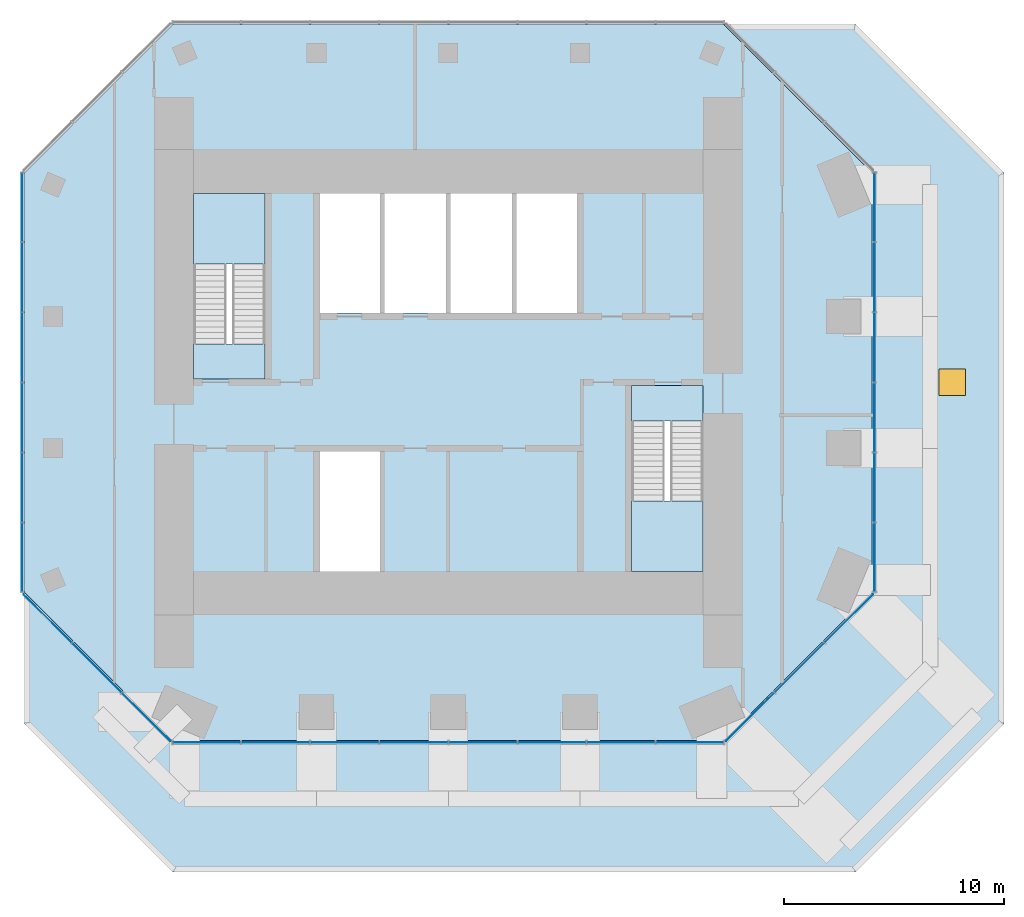
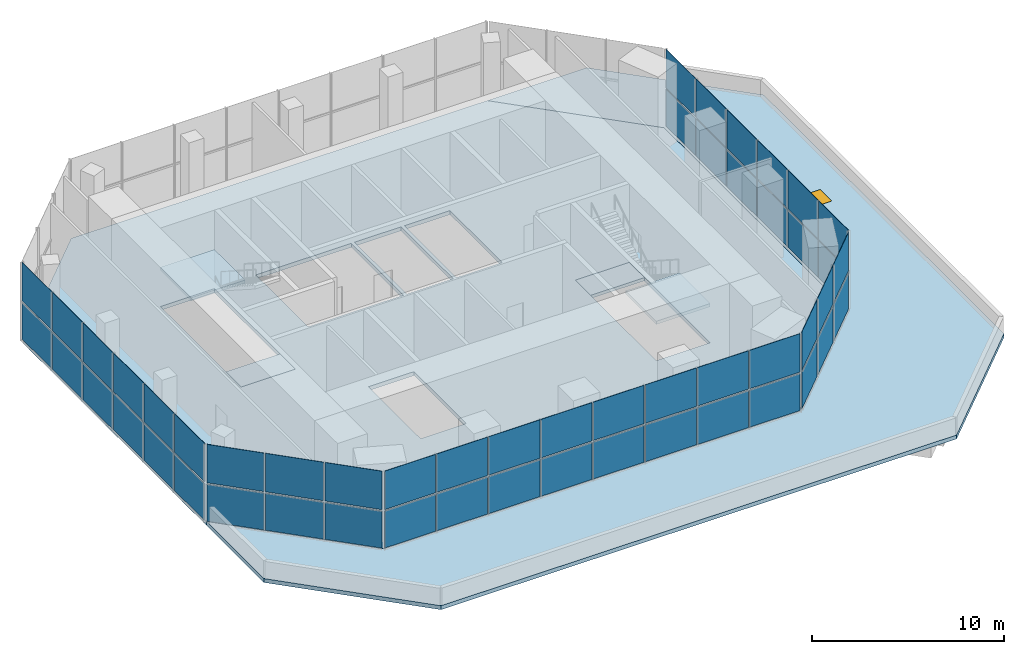
# One storey, part 6 of 9: 52 plates, 6 slabs, 1 window, 1 opening, 7 elements without a shape of their own.
"""IFC4 building model written with IfcOpenShell, lengths in metres."""

from ifc_helpers import new_model, si_unit, direction, frame, origin, origin_2d, place, context, subcontext, project, spatial, polyline, rectangle, outline, extrude, material, layer, layer_set, type_object, element, fill, aggregate, save


model = new_model("IFC4")

# Units and contexts
model_context = context("Model", 3, precision=1e-05, world=origin(), true_north=direction((0.0, 1.0)))
body_context = subcontext(model_context, "Body", "Model", "MODEL_VIEW")
ifc_project = project(units=[si_unit("LENGTHUNIT", "METRE"), si_unit("AREAUNIT", "SQUARE_METRE"), si_unit("VOLUMEUNIT", "CUBIC_METRE"), si_unit("PLANEANGLEUNIT", "RADIAN"), si_unit("MASSUNIT", "GRAM", prefix="KILO")], contexts=[model_context])

# Site, building, storey
site_placement = place(None, origin())
site = spatial("IfcSite", under=ifc_project, at=site_placement, CompositionType="ELEMENT")
building_placement = place(site_placement, origin())
building = spatial("IfcBuilding", under=site, at=building_placement, Name="Highveld Stack Headquarters", CompositionType="ELEMENT")
storey_placement = place(building_placement, frame((0.0, 0.0, 295.699951171875)))
storey = spatial("IfcBuildingStorey", under=building, at=storey_placement, Name="L73", CompositionType="ELEMENT", Elevation=295.699951171875)

# Curtain wall, plates
ifc_material_1 = material(Name="Aluminium bronze anodised", Category="aluminium")
ifc_layer_1 = layer(ifc_material_1, 0.199951171875)
ifc_layer_set_1 = layer_set([ifc_layer_1], Name="Aluminium bronze anodised")
curtain_wall_type = type_object("IfcCurtainWallType", Name="CW4 LANTERN CURTAIN WALL", PredefinedType="NOTDEFINED", material=ifc_layer_set_1)
curtain_wall_1_placement = place(storey_placement, origin())
curtain_wall_1 = element("IfcCurtainWall", 1, at=curtain_wall_1_placement, inside=storey, type_object=curtain_wall_type, Name="Curtain wall CW4 L73 S", PredefinedType="NOTDEFINED")
ifc_material_2 = material(Name="Glass translucent laminated glass", Category="glass")
ifc_layer_2 = layer(ifc_material_2, 0.02197265625)
ifc_layer_set_2 = layer_set([ifc_layer_2], Name="Glass translucent laminated glass")
plate_type = type_object("IfcPlateType", Name="CW4 PANEL TRANSLUCENT LAMINATED GLASS", PredefinedType="CURTAIN_PANEL", material=ifc_layer_set_2)
plate_1_placement = place(storey_placement, frame((-4.9912109375, -13.39990234375, 0.10009765625), z_axis=(0.0, 0.0, 1.0), x_axis=(1.0, 0.0, 0.0)))
plate_1 = element("IfcPlate", 2, at=plate_1_placement, type_object=plate_type, Name="CW4 panel L73 1.1", PredefinedType="CURTAIN_PANEL", context=body_context, shape_type="SweptSolid", body=[
    extrude(rectangle(XDim=3.047607421875, YDim=0.02197265625, at=origin_2d()), origin(), (0.0, 0.0, 1.0), 2.35009765625),
])
plate_2_placement = place(storey_placement, frame((-4.9912109375, -13.39990234375, 2.55029296875), z_axis=(0.0, 0.0, 1.0), x_axis=(1.0, 0.0, 0.0)))
plate_2 = element("IfcPlate", 3, at=plate_2_placement, type_object=plate_type, Name="CW4 panel L73 1.2", PredefinedType="CURTAIN_PANEL", context=body_context, shape_type="SweptSolid", body=[
    extrude(rectangle(XDim=3.047607421875, YDim=0.02197265625, at=origin_2d()), origin(), (0.0, 0.0, 1.0), 2.449951171875),
])
plate_3_placement = place(storey_placement, frame((-1.8623046875, -13.39990234375, 0.10009765625), z_axis=(0.0, 0.0, 1.0), x_axis=(1.0, 0.0, 0.0)))
plate_3 = element("IfcPlate", 4, at=plate_3_placement, type_object=plate_type, Name="CW4 panel L73 2.1", PredefinedType="CURTAIN_PANEL", context=body_context, shape_type="SweptSolid", body=[
    extrude(rectangle(XDim=3.080078125, YDim=0.02197265625, at=origin_2d()), origin(), (0.0, 0.0, 1.0), 2.35009765625),
])
plate_4_placement = place(storey_placement, frame((-1.8623046875, -13.39990234375, 2.55029296875), z_axis=(0.0, 0.0, 1.0), x_axis=(1.0, 0.0, 0.0)))
plate_4 = element("IfcPlate", 5, at=plate_4_placement, type_object=plate_type, Name="CW4 panel L73 2.2", PredefinedType="CURTAIN_PANEL", context=body_context, shape_type="SweptSolid", body=[
    extrude(rectangle(XDim=3.080078125, YDim=0.02197265625, at=origin_2d()), origin(), (0.0, 0.0, 1.0), 2.449951171875),
])
plate_5_placement = place(storey_placement, frame((1.282470703125, -13.39990234375, 0.10009765625), z_axis=(0.0, 0.0, 1.0), x_axis=(1.0, 0.0, 0.0)))
plate_5 = element("IfcPlate", 6, at=plate_5_placement, type_object=plate_type, Name="CW4 panel L73 3.1", PredefinedType="CURTAIN_PANEL", context=body_context, shape_type="SweptSolid", body=[
    extrude(rectangle(XDim=3.080078125, YDim=0.02197265625, at=origin_2d()), origin(), (0.0, 0.0, 1.0), 2.35009765625),
])
plate_6_placement = place(storey_placement, frame((1.282470703125, -13.39990234375, 2.55029296875), z_axis=(0.0, 0.0, 1.0), x_axis=(1.0, 0.0, 0.0)))
plate_6 = element("IfcPlate", 7, at=plate_6_placement, type_object=plate_type, Name="CW4 panel L73 3.2", PredefinedType="CURTAIN_PANEL", context=body_context, shape_type="SweptSolid", body=[
    extrude(rectangle(XDim=3.080078125, YDim=0.02197265625, at=origin_2d()), origin(), (0.0, 0.0, 1.0), 2.449951171875),
])
plate_7_placement = place(storey_placement, frame((4.427490234375, -13.39990234375, 0.10009765625), z_axis=(0.0, 0.0, 1.0), x_axis=(1.0, 0.0, 0.0)))
plate_7 = element("IfcPlate", 8, at=plate_7_placement, type_object=plate_type, Name="CW4 panel L73 4.1", PredefinedType="CURTAIN_PANEL", context=body_context, shape_type="SweptSolid", body=[
    extrude(rectangle(XDim=3.080078125, YDim=0.02197265625, at=origin_2d()), origin(), (0.0, 0.0, 1.0), 2.35009765625),
])
plate_8_placement = place(storey_placement, frame((4.427490234375, -13.39990234375, 2.55029296875), z_axis=(0.0, 0.0, 1.0), x_axis=(1.0, 0.0, 0.0)))
plate_8 = element("IfcPlate", 9, at=plate_8_placement, type_object=plate_type, Name="CW4 panel L73 4.2", PredefinedType="CURTAIN_PANEL", context=body_context, shape_type="SweptSolid", body=[
    extrude(rectangle(XDim=3.080078125, YDim=0.02197265625, at=origin_2d()), origin(), (0.0, 0.0, 1.0), 2.449951171875),
])
plate_9_placement = place(storey_placement, frame((7.572509765625, -13.39990234375, 0.10009765625), z_axis=(0.0, 0.0, 1.0), x_axis=(1.0, 0.0, 0.0)))
plate_9 = element("IfcPlate", 10, at=plate_9_placement, type_object=plate_type, Name="CW4 panel L73 5.1", PredefinedType="CURTAIN_PANEL", context=body_context, shape_type="SweptSolid", body=[
    extrude(rectangle(XDim=3.080078125, YDim=0.02197265625, at=origin_2d()), origin(), (0.0, 0.0, 1.0), 2.35009765625),
])
plate_10_placement = place(storey_placement, frame((7.572509765625, -13.39990234375, 2.55029296875), z_axis=(0.0, 0.0, 1.0), x_axis=(1.0, 0.0, 0.0)))
plate_10 = element("IfcPlate", 11, at=plate_10_placement, type_object=plate_type, Name="CW4 panel L73 5.2", PredefinedType="CURTAIN_PANEL", context=body_context, shape_type="SweptSolid", body=[
    extrude(rectangle(XDim=3.080078125, YDim=0.02197265625, at=origin_2d()), origin(), (0.0, 0.0, 1.0), 2.449951171875),
])
plate_11_placement = place(storey_placement, frame((10.717529296875, -13.39990234375, 0.10009765625), z_axis=(0.0, 0.0, 1.0), x_axis=(1.0, 0.0, 0.0)))
plate_11 = element("IfcPlate", 12, at=plate_11_placement, type_object=plate_type, Name="CW4 panel L73 6.1", PredefinedType="CURTAIN_PANEL", context=body_context, shape_type="SweptSolid", body=[
    extrude(rectangle(XDim=3.080078125, YDim=0.02197265625, at=origin_2d()), origin(), (0.0, 0.0, 1.0), 2.35009765625),
])
plate_12_placement = place(storey_placement, frame((10.717529296875, -13.39990234375, 2.55029296875), z_axis=(0.0, 0.0, 1.0), x_axis=(1.0, 0.0, 0.0)))
plate_12 = element("IfcPlate", 13, at=plate_12_placement, type_object=plate_type, Name="CW4 panel L73 6.2", PredefinedType="CURTAIN_PANEL", context=body_context, shape_type="SweptSolid", body=[
    extrude(rectangle(XDim=3.080078125, YDim=0.02197265625, at=origin_2d()), origin(), (0.0, 0.0, 1.0), 2.449951171875),
])
plate_13_placement = place(storey_placement, frame((13.8623046875, -13.39990234375, 0.10009765625), z_axis=(0.0, 0.0, 1.0), x_axis=(1.0, 0.0, 0.0)))
plate_13 = element("IfcPlate", 14, at=plate_13_placement, type_object=plate_type, Name="CW4 panel L73 7.1", PredefinedType="CURTAIN_PANEL", context=body_context, shape_type="SweptSolid", body=[
    extrude(rectangle(XDim=3.080078125, YDim=0.02197265625, at=origin_2d()), origin(), (0.0, 0.0, 1.0), 2.35009765625),
])
plate_14_placement = place(storey_placement, frame((13.8623046875, -13.39990234375, 2.55029296875), z_axis=(0.0, 0.0, 1.0), x_axis=(1.0, 0.0, 0.0)))
plate_14 = element("IfcPlate", 15, at=plate_14_placement, type_object=plate_type, Name="CW4 panel L73 7.2", PredefinedType="CURTAIN_PANEL", context=body_context, shape_type="SweptSolid", body=[
    extrude(rectangle(XDim=3.080078125, YDim=0.02197265625, at=origin_2d()), origin(), (0.0, 0.0, 1.0), 2.449951171875),
])
plate_15_placement = place(storey_placement, frame((16.9912109375, -13.39990234375, 0.10009765625), z_axis=(0.0, 0.0, 1.0), x_axis=(1.0, 0.0, 0.0)))
plate_15 = element("IfcPlate", 16, at=plate_15_placement, type_object=plate_type, Name="CW4 panel L73 8.1", PredefinedType="CURTAIN_PANEL", context=body_context, shape_type="SweptSolid", body=[
    extrude(rectangle(XDim=3.047607421875, YDim=0.02197265625, at=origin_2d()), origin(), (0.0, 0.0, 1.0), 2.35009765625),
])
plate_16_placement = place(storey_placement, frame((16.9912109375, -13.39990234375, 2.55029296875), z_axis=(0.0, 0.0, 1.0), x_axis=(1.0, 0.0, 0.0)))
plate_16 = element("IfcPlate", 17, at=plate_16_placement, type_object=plate_type, Name="CW4 panel L73 8.2", PredefinedType="CURTAIN_PANEL", context=body_context, shape_type="SweptSolid", body=[
    extrude(rectangle(XDim=3.047607421875, YDim=0.02197265625, at=origin_2d()), origin(), (0.0, 0.0, 1.0), 2.449951171875),
])
aggregate(curtain_wall_1, [plate_1, plate_2, plate_3, plate_4, plate_5, plate_6, plate_7, plate_8, plate_9, plate_10, plate_11, plate_12, plate_13, plate_14, plate_15, plate_16])

curtain_wall_2_placement = place(storey_placement, origin())
curtain_wall_2 = element("IfcCurtainWall", 18, at=curtain_wall_2_placement, inside=storey, type_object=curtain_wall_type, Name="Curtain wall CW4 L73 SE", PredefinedType="NOTDEFINED")
plate_17_placement = place(storey_placement, frame((19.740478515625, -12.239501953125, 0.10009765625), z_axis=(0.0, 0.0, 1.0), x_axis=(0.707106781187, 0.707106781187, 0.0)))
plate_17 = element("IfcPlate", 19, at=plate_17_placement, type_object=plate_type, Name="CW4 panel L73 1.1", PredefinedType="CURTAIN_PANEL", context=body_context, shape_type="SweptSolid", body=[
    extrude(rectangle(XDim=3.08251953125, YDim=0.02197265625, at=origin_2d()), origin(), (0.0, 0.0, 1.0), 2.35009765625),
])
plate_18_placement = place(storey_placement, frame((19.740478515625, -12.239501953125, 2.55029296875), z_axis=(0.0, 0.0, 1.0), x_axis=(0.707106781187, 0.707106781187, 0.0)))
plate_18 = element("IfcPlate", 20, at=plate_18_placement, type_object=plate_type, Name="CW4 panel L73 1.2", PredefinedType="CURTAIN_PANEL", context=body_context, shape_type="SweptSolid", body=[
    extrude(rectangle(XDim=3.08251953125, YDim=0.02197265625, at=origin_2d()), origin(), (0.0, 0.0, 1.0), 2.449951171875),
])
plate_19_placement = place(storey_placement, frame((21.989990234375, -9.989990234375, 0.10009765625), z_axis=(0.0, 0.0, 1.0), x_axis=(0.707106781187, 0.707106781187, 0.0)))
plate_19 = element("IfcPlate", 21, at=plate_19_placement, type_object=plate_type, Name="CW4 panel L73 2.1", PredefinedType="CURTAIN_PANEL", context=body_context, shape_type="SweptSolid", body=[
    extrude(rectangle(XDim=3.14990234375, YDim=0.02197265625, at=origin_2d()), origin(), (0.0, 0.0, 1.0), 2.35009765625),
])
plate_20_placement = place(storey_placement, frame((21.989990234375, -9.989990234375, 2.55029296875), z_axis=(0.0, 0.0, 1.0), x_axis=(0.707106781187, 0.707106781187, 0.0)))
plate_20 = element("IfcPlate", 22, at=plate_20_placement, type_object=plate_type, Name="CW4 panel L73 2.2", PredefinedType="CURTAIN_PANEL", context=body_context, shape_type="SweptSolid", body=[
    extrude(rectangle(XDim=3.14990234375, YDim=0.02197265625, at=origin_2d()), origin(), (0.0, 0.0, 1.0), 2.449951171875),
])
plate_21_placement = place(storey_placement, frame((24.239501953125, -7.740478515625, 0.10009765625), z_axis=(0.0, 0.0, 1.0), x_axis=(0.707106781187, 0.707106781187, 0.0)))
plate_21 = element("IfcPlate", 23, at=plate_21_placement, type_object=plate_type, Name="CW4 panel L73 3.1", PredefinedType="CURTAIN_PANEL", context=body_context, shape_type="SweptSolid", body=[
    extrude(rectangle(XDim=3.08251953125, YDim=0.02197265625, at=origin_2d()), origin(), (0.0, 0.0, 1.0), 2.35009765625),
])
plate_22_placement = place(storey_placement, frame((24.239501953125, -7.740478515625, 2.55029296875), z_axis=(0.0, 0.0, 1.0), x_axis=(0.707106781187, 0.707106781187, 0.0)))
plate_22 = element("IfcPlate", 24, at=plate_22_placement, type_object=plate_type, Name="CW4 panel L73 3.2", PredefinedType="CURTAIN_PANEL", context=body_context, shape_type="SweptSolid", body=[
    extrude(rectangle(XDim=3.08251953125, YDim=0.02197265625, at=origin_2d()), origin(), (0.0, 0.0, 1.0), 2.449951171875),
])
aggregate(curtain_wall_2, [plate_17, plate_18, plate_19, plate_20, plate_21, plate_22])

curtain_wall_3_placement = place(storey_placement, origin())
curtain_wall_3 = element("IfcCurtainWall", 25, at=curtain_wall_3_placement, inside=storey, type_object=curtain_wall_type, Name="Curtain wall CW4 L73 E", PredefinedType="NOTDEFINED")
plate_23_placement = place(storey_placement, frame((25.39990234375, -4.967041015625, 0.10009765625), z_axis=(0.0, 0.0, 1.0), x_axis=(0.0, 1.0, 0.0)))
plate_23 = element("IfcPlate", 26, at=plate_23_placement, type_object=plate_type, Name="CW4 panel L73 1.1", PredefinedType="CURTAIN_PANEL", context=body_context, shape_type="SweptSolid", body=[
    extrude(rectangle(XDim=3.095703125, YDim=0.02197265625, at=origin_2d()), origin(), (0.0, 0.0, 1.0), 2.35009765625),
])
plate_24_placement = place(storey_placement, frame((25.39990234375, -4.967041015625, 2.55029296875), z_axis=(0.0, 0.0, 1.0), x_axis=(0.0, 1.0, 0.0)))
plate_24 = element("IfcPlate", 27, at=plate_24_placement, type_object=plate_type, Name="CW4 panel L73 1.2", PredefinedType="CURTAIN_PANEL", context=body_context, shape_type="SweptSolid", body=[
    extrude(rectangle(XDim=3.095703125, YDim=0.02197265625, at=origin_2d()), origin(), (0.0, 0.0, 1.0), 2.449951171875),
])
plate_25_placement = place(storey_placement, frame((25.39990234375, -1.789794921875, 0.10009765625), z_axis=(0.0, 0.0, 1.0), x_axis=(0.0, 1.0, 0.0)))
plate_25 = element("IfcPlate", 28, at=plate_25_placement, type_object=plate_type, Name="CW4 panel L73 2.1", PredefinedType="CURTAIN_PANEL", context=body_context, shape_type="SweptSolid", body=[
    extrude(rectangle(XDim=3.12841796875, YDim=0.02197265625, at=origin_2d()), origin(), (0.0, 0.0, 1.0), 2.35009765625),
])
plate_26_placement = place(storey_placement, frame((25.39990234375, -1.789794921875, 2.55029296875), z_axis=(0.0, 0.0, 1.0), x_axis=(0.0, 1.0, 0.0)))
plate_26 = element("IfcPlate", 29, at=plate_26_placement, type_object=plate_type, Name="CW4 panel L73 2.2", PredefinedType="CURTAIN_PANEL", context=body_context, shape_type="SweptSolid", body=[
    extrude(rectangle(XDim=3.12841796875, YDim=0.02197265625, at=origin_2d()), origin(), (0.0, 0.0, 1.0), 2.449951171875),
])
plate_27_placement = place(storey_placement, frame((25.39990234375, 1.4033203125, 0.10009765625), z_axis=(0.0, 0.0, 1.0), x_axis=(0.0, 1.0, 0.0)))
plate_27 = element("IfcPlate", 30, at=plate_27_placement, type_object=plate_type, Name="CW4 panel L73 3.1", PredefinedType="CURTAIN_PANEL", context=body_context, shape_type="SweptSolid", body=[
    extrude(rectangle(XDim=3.12841796875, YDim=0.02197265625, at=origin_2d()), origin(), (0.0, 0.0, 1.0), 2.35009765625),
])
plate_28_placement = place(storey_placement, frame((25.39990234375, 1.4033203125, 2.55029296875), z_axis=(0.0, 0.0, 1.0), x_axis=(0.0, 1.0, 0.0)))
plate_28 = element("IfcPlate", 31, at=plate_28_placement, type_object=plate_type, Name="CW4 panel L73 3.2", PredefinedType="CURTAIN_PANEL", context=body_context, shape_type="SweptSolid", body=[
    extrude(rectangle(XDim=3.12841796875, YDim=0.02197265625, at=origin_2d()), origin(), (0.0, 0.0, 1.0), 2.449951171875),
])
plate_29_placement = place(storey_placement, frame((25.39990234375, 4.5966796875, 0.10009765625), z_axis=(0.0, 0.0, 1.0), x_axis=(0.0, 1.0, 0.0)))
plate_29 = element("IfcPlate", 32, at=plate_29_placement, type_object=plate_type, Name="CW4 panel L73 4.1", PredefinedType="CURTAIN_PANEL", context=body_context, shape_type="SweptSolid", body=[
    extrude(rectangle(XDim=3.12841796875, YDim=0.02197265625, at=origin_2d()), origin(), (0.0, 0.0, 1.0), 2.35009765625),
])
plate_30_placement = place(storey_placement, frame((25.39990234375, 4.5966796875, 2.55029296875), z_axis=(0.0, 0.0, 1.0), x_axis=(0.0, 1.0, 0.0)))
plate_30 = element("IfcPlate", 33, at=plate_30_placement, type_object=plate_type, Name="CW4 panel L73 4.2", PredefinedType="CURTAIN_PANEL", context=body_context, shape_type="SweptSolid", body=[
    extrude(rectangle(XDim=3.12841796875, YDim=0.02197265625, at=origin_2d()), origin(), (0.0, 0.0, 1.0), 2.449951171875),
])
plate_31_placement = place(storey_placement, frame((25.39990234375, 7.7900390625, 0.10009765625), z_axis=(0.0, 0.0, 1.0), x_axis=(0.0, 1.0, 0.0)))
plate_31 = element("IfcPlate", 34, at=plate_31_placement, type_object=plate_type, Name="CW4 panel L73 5.1", PredefinedType="CURTAIN_PANEL", context=body_context, shape_type="SweptSolid", body=[
    extrude(rectangle(XDim=3.12841796875, YDim=0.02197265625, at=origin_2d()), origin(), (0.0, 0.0, 1.0), 2.35009765625),
])
plate_32_placement = place(storey_placement, frame((25.39990234375, 7.7900390625, 2.55029296875), z_axis=(0.0, 0.0, 1.0), x_axis=(0.0, 1.0, 0.0)))
plate_32 = element("IfcPlate", 35, at=plate_32_placement, type_object=plate_type, Name="CW4 panel L73 5.2", PredefinedType="CURTAIN_PANEL", context=body_context, shape_type="SweptSolid", body=[
    extrude(rectangle(XDim=3.12841796875, YDim=0.02197265625, at=origin_2d()), origin(), (0.0, 0.0, 1.0), 2.449951171875),
])
plate_33_placement = place(storey_placement, frame((25.39990234375, 10.967041015625, 0.10009765625), z_axis=(0.0, 0.0, 1.0), x_axis=(0.0, 1.0, 0.0)))
plate_33 = element("IfcPlate", 36, at=plate_33_placement, type_object=plate_type, Name="CW4 panel L73 6.1", PredefinedType="CURTAIN_PANEL", context=body_context, shape_type="SweptSolid", body=[
    extrude(rectangle(XDim=3.095703125, YDim=0.02197265625, at=origin_2d()), origin(), (0.0, 0.0, 1.0), 2.35009765625),
])
plate_34_placement = place(storey_placement, frame((25.39990234375, 10.967041015625, 2.55029296875), z_axis=(0.0, 0.0, 1.0), x_axis=(0.0, 1.0, 0.0)))
plate_34 = element("IfcPlate", 37, at=plate_34_placement, type_object=plate_type, Name="CW4 panel L73 6.2", PredefinedType="CURTAIN_PANEL", context=body_context, shape_type="SweptSolid", body=[
    extrude(rectangle(XDim=3.095703125, YDim=0.02197265625, at=origin_2d()), origin(), (0.0, 0.0, 1.0), 2.449951171875),
])
aggregate(curtain_wall_3, [plate_23, plate_24, plate_25, plate_26, plate_27, plate_28, plate_29, plate_30, plate_31, plate_32, plate_33, plate_34])

curtain_wall_4_placement = place(storey_placement, origin())
curtain_wall_4 = element("IfcCurtainWall", 38, at=curtain_wall_4_placement, inside=storey, type_object=curtain_wall_type, Name="Curtain wall CW4 L73 W", PredefinedType="NOTDEFINED")
plate_35_placement = place(storey_placement, frame((-13.39990234375, 10.967041015625, 0.10009765625), z_axis=(0.0, 0.0, 1.0), x_axis=(0.0, -1.0, 0.0)))
plate_35 = element("IfcPlate", 39, at=plate_35_placement, type_object=plate_type, Name="CW4 panel L73 1.1", PredefinedType="CURTAIN_PANEL", context=body_context, shape_type="SweptSolid", body=[
    extrude(rectangle(XDim=3.095703125, YDim=0.02197265625, at=origin_2d()), origin(), (0.0, 0.0, 1.0), 2.35009765625),
])
plate_36_placement = place(storey_placement, frame((-13.39990234375, 10.967041015625, 2.55029296875), z_axis=(0.0, 0.0, 1.0), x_axis=(0.0, -1.0, 0.0)))
plate_36 = element("IfcPlate", 40, at=plate_36_placement, type_object=plate_type, Name="CW4 panel L73 1.2", PredefinedType="CURTAIN_PANEL", context=body_context, shape_type="SweptSolid", body=[
    extrude(rectangle(XDim=3.095703125, YDim=0.02197265625, at=origin_2d()), origin(), (0.0, 0.0, 1.0), 2.449951171875),
])
plate_37_placement = place(storey_placement, frame((-13.39990234375, 7.789794921875, 0.10009765625), z_axis=(0.0, 0.0, 1.0), x_axis=(0.0, -1.0, 0.0)))
plate_37 = element("IfcPlate", 41, at=plate_37_placement, type_object=plate_type, Name="CW4 panel L73 2.1", PredefinedType="CURTAIN_PANEL", context=body_context, shape_type="SweptSolid", body=[
    extrude(rectangle(XDim=3.12841796875, YDim=0.02197265625, at=origin_2d()), origin(), (0.0, 0.0, 1.0), 2.35009765625),
])
plate_38_placement = place(storey_placement, frame((-13.39990234375, 7.789794921875, 2.55029296875), z_axis=(0.0, 0.0, 1.0), x_axis=(0.0, -1.0, 0.0)))
plate_38 = element("IfcPlate", 42, at=plate_38_placement, type_object=plate_type, Name="CW4 panel L73 2.2", PredefinedType="CURTAIN_PANEL", context=body_context, shape_type="SweptSolid", body=[
    extrude(rectangle(XDim=3.12841796875, YDim=0.02197265625, at=origin_2d()), origin(), (0.0, 0.0, 1.0), 2.449951171875),
])
plate_39_placement = place(storey_placement, frame((-13.39990234375, 4.5966796875, 0.10009765625), z_axis=(0.0, 0.0, 1.0), x_axis=(0.0, -1.0, 0.0)))
plate_39 = element("IfcPlate", 43, at=plate_39_placement, type_object=plate_type, Name="CW4 panel L73 3.1", PredefinedType="CURTAIN_PANEL", context=body_context, shape_type="SweptSolid", body=[
    extrude(rectangle(XDim=3.12841796875, YDim=0.02197265625, at=origin_2d()), origin(), (0.0, 0.0, 1.0), 2.35009765625),
])
plate_40_placement = place(storey_placement, frame((-13.39990234375, 4.5966796875, 2.55029296875), z_axis=(0.0, 0.0, 1.0), x_axis=(0.0, -1.0, 0.0)))
plate_40 = element("IfcPlate", 44, at=plate_40_placement, type_object=plate_type, Name="CW4 panel L73 3.2", PredefinedType="CURTAIN_PANEL", context=body_context, shape_type="SweptSolid", body=[
    extrude(rectangle(XDim=3.12841796875, YDim=0.02197265625, at=origin_2d()), origin(), (0.0, 0.0, 1.0), 2.449951171875),
])
plate_41_placement = place(storey_placement, frame((-13.39990234375, 1.4033203125, 0.10009765625), z_axis=(0.0, 0.0, 1.0), x_axis=(0.0, -1.0, 0.0)))
plate_41 = element("IfcPlate", 45, at=plate_41_placement, type_object=plate_type, Name="CW4 panel L73 4.1", PredefinedType="CURTAIN_PANEL", context=body_context, shape_type="SweptSolid", body=[
    extrude(rectangle(XDim=3.12841796875, YDim=0.02197265625, at=origin_2d()), origin(), (0.0, 0.0, 1.0), 2.35009765625),
])
plate_42_placement = place(storey_placement, frame((-13.39990234375, 1.4033203125, 2.55029296875), z_axis=(0.0, 0.0, 1.0), x_axis=(0.0, -1.0, 0.0)))
plate_42 = element("IfcPlate", 46, at=plate_42_placement, type_object=plate_type, Name="CW4 panel L73 4.2", PredefinedType="CURTAIN_PANEL", context=body_context, shape_type="SweptSolid", body=[
    extrude(rectangle(XDim=3.12841796875, YDim=0.02197265625, at=origin_2d()), origin(), (0.0, 0.0, 1.0), 2.449951171875),
])
plate_43_placement = place(storey_placement, frame((-13.39990234375, -1.7900390625, 0.10009765625), z_axis=(0.0, 0.0, 1.0), x_axis=(0.0, -1.0, 0.0)))
plate_43 = element("IfcPlate", 47, at=plate_43_placement, type_object=plate_type, Name="CW4 panel L73 5.1", PredefinedType="CURTAIN_PANEL", context=body_context, shape_type="SweptSolid", body=[
    extrude(rectangle(XDim=3.12841796875, YDim=0.02197265625, at=origin_2d()), origin(), (0.0, 0.0, 1.0), 2.35009765625),
])
plate_44_placement = place(storey_placement, frame((-13.39990234375, -1.7900390625, 2.55029296875), z_axis=(0.0, 0.0, 1.0), x_axis=(0.0, -1.0, 0.0)))
plate_44 = element("IfcPlate", 48, at=plate_44_placement, type_object=plate_type, Name="CW4 panel L73 5.2", PredefinedType="CURTAIN_PANEL", context=body_context, shape_type="SweptSolid", body=[
    extrude(rectangle(XDim=3.12841796875, YDim=0.02197265625, at=origin_2d()), origin(), (0.0, 0.0, 1.0), 2.449951171875),
])
plate_45_placement = place(storey_placement, frame((-13.39990234375, -4.967041015625, 0.10009765625), z_axis=(0.0, 0.0, 1.0), x_axis=(0.0, -1.0, 0.0)))
plate_45 = element("IfcPlate", 49, at=plate_45_placement, type_object=plate_type, Name="CW4 panel L73 6.1", PredefinedType="CURTAIN_PANEL", context=body_context, shape_type="SweptSolid", body=[
    extrude(rectangle(XDim=3.095703125, YDim=0.02197265625, at=origin_2d()), origin(), (0.0, 0.0, 1.0), 2.35009765625),
])
plate_46_placement = place(storey_placement, frame((-13.39990234375, -4.967041015625, 2.55029296875), z_axis=(0.0, 0.0, 1.0), x_axis=(0.0, -1.0, 0.0)))
plate_46 = element("IfcPlate", 50, at=plate_46_placement, type_object=plate_type, Name="CW4 panel L73 6.2", PredefinedType="CURTAIN_PANEL", context=body_context, shape_type="SweptSolid", body=[
    extrude(rectangle(XDim=3.095703125, YDim=0.02197265625, at=origin_2d()), origin(), (0.0, 0.0, 1.0), 2.449951171875),
])
aggregate(curtain_wall_4, [plate_35, plate_36, plate_37, plate_38, plate_39, plate_40, plate_41, plate_42, plate_43, plate_44, plate_45, plate_46])

curtain_wall_5_placement = place(storey_placement, origin())
curtain_wall_5 = element("IfcCurtainWall", 51, at=curtain_wall_5_placement, inside=storey, type_object=curtain_wall_type, Name="Curtain wall CW4 L73 SW", PredefinedType="NOTDEFINED")
plate_47_placement = place(storey_placement, frame((-12.239501953125, -7.740478515625, 0.10009765625), z_axis=(0.0, 0.0, 1.0), x_axis=(0.707106781187, -0.707106781187, 0.0)))
plate_47 = element("IfcPlate", 52, at=plate_47_placement, type_object=plate_type, Name="CW4 panel L73 1.1", PredefinedType="CURTAIN_PANEL", context=body_context, shape_type="SweptSolid", body=[
    extrude(rectangle(XDim=3.08251953125, YDim=0.02197265625, at=origin_2d()), origin(), (0.0, 0.0, 1.0), 2.35009765625),
])
plate_48_placement = place(storey_placement, frame((-12.239501953125, -7.740478515625, 2.55029296875), z_axis=(0.0, 0.0, 1.0), x_axis=(0.707106781187, -0.707106781187, 0.0)))
plate_48 = element("IfcPlate", 53, at=plate_48_placement, type_object=plate_type, Name="CW4 panel L73 1.2", PredefinedType="CURTAIN_PANEL", context=body_context, shape_type="SweptSolid", body=[
    extrude(rectangle(XDim=3.08251953125, YDim=0.02197265625, at=origin_2d()), origin(), (0.0, 0.0, 1.0), 2.449951171875),
])
plate_49_placement = place(storey_placement, frame((-9.989990234375, -9.989990234375, 0.10009765625), z_axis=(0.0, 0.0, 1.0), x_axis=(0.707106781187, -0.707106781187, 0.0)))
plate_49 = element("IfcPlate", 54, at=plate_49_placement, type_object=plate_type, Name="CW4 panel L73 2.1", PredefinedType="CURTAIN_PANEL", context=body_context, shape_type="SweptSolid", body=[
    extrude(rectangle(XDim=3.14990234375, YDim=0.02197265625, at=origin_2d()), origin(), (0.0, 0.0, 1.0), 2.35009765625),
])
plate_50_placement = place(storey_placement, frame((-9.989990234375, -9.989990234375, 2.55029296875), z_axis=(0.0, 0.0, 1.0), x_axis=(0.707106781187, -0.707106781187, 0.0)))
plate_50 = element("IfcPlate", 55, at=plate_50_placement, type_object=plate_type, Name="CW4 panel L73 2.2", PredefinedType="CURTAIN_PANEL", context=body_context, shape_type="SweptSolid", body=[
    extrude(rectangle(XDim=3.14990234375, YDim=0.02197265625, at=origin_2d()), origin(), (0.0, 0.0, 1.0), 2.449951171875),
])
plate_51_placement = place(storey_placement, frame((-7.740478515625, -12.239501953125, 0.10009765625), z_axis=(0.0, 0.0, 1.0), x_axis=(0.707106781187, -0.707106781187, 0.0)))
plate_51 = element("IfcPlate", 56, at=plate_51_placement, type_object=plate_type, Name="CW4 panel L73 3.1", PredefinedType="CURTAIN_PANEL", context=body_context, shape_type="SweptSolid", body=[
    extrude(rectangle(XDim=3.08251953125, YDim=0.02197265625, at=origin_2d()), origin(), (0.0, 0.0, 1.0), 2.35009765625),
])
plate_52_placement = place(storey_placement, frame((-7.740478515625, -12.239501953125, 2.55029296875), z_axis=(0.0, 0.0, 1.0), x_axis=(0.707106781187, -0.707106781187, 0.0)))
plate_52 = element("IfcPlate", 57, at=plate_52_placement, type_object=plate_type, Name="CW4 panel L73 3.2", PredefinedType="CURTAIN_PANEL", context=body_context, shape_type="SweptSolid", body=[
    extrude(rectangle(XDim=3.08251953125, YDim=0.02197265625, at=origin_2d()), origin(), (0.0, 0.0, 1.0), 2.449951171875),
])
aggregate(curtain_wall_5, [plate_47, plate_48, plate_49, plate_50, plate_51, plate_52])

# Slab
ifc_material_3 = material(Name="Concrete C60/75", Category="concrete")
ifc_layer_3 = layer(ifc_material_3, 0.25)
ifc_layer_set_3 = layer_set([ifc_layer_3], Name="Concrete C60/75")
slab_type_1 = type_object("IfcSlabType", Name="PT FLAT SLAB 250", PredefinedType="FLOOR", material=ifc_layer_set_3)
slab_1_placement = place(storey_placement, frame((0.0, 0.0, -0.25)))
element("IfcSlab", 58, at=slab_1_placement, inside=storey, type_object=slab_type_1, Name="Floor slab L73", PredefinedType="FLOOR", context=body_context, shape_type="SweptSolid", body=[
    extrude(outline(polyline([(-6.53857421875, -13.300048828125), (18.53857421875, -13.300048828125), (25.300048828125, -6.53857421875), (25.300048828125, 12.53857421875), (18.53857421875, 19.300048828125), (-6.53857421875, 19.300048828125), (-13.300048828125, 12.53857421875), (-13.300048828125, -6.53857421875), (-6.53857421875, -13.300048828125)]), holes=[polyline([(0.14990234375, 6.14990234375), (5.89990234375, 6.14990234375), (5.89990234375, 11.60009765625), (0.14990234375, 11.60009765625), (0.14990234375, 6.14990234375)]), polyline([(9.10009765625, 6.14990234375), (11.85009765625, 6.14990234375), (11.85009765625, 11.60009765625), (9.10009765625, 11.60009765625), (9.10009765625, 6.14990234375)]), polyline([(6.10009765625, 6.14990234375), (8.89990234375, 6.14990234375), (8.89990234375, 11.60009765625), (6.10009765625, 11.60009765625), (6.10009765625, 6.14990234375)]), polyline([(0.14990234375, -5.60009765625), (2.89990234375, -5.60009765625), (2.89990234375, -0.14990234375), (0.14990234375, -0.14990234375), (0.14990234375, -5.60009765625)]), polyline([(-5.60009765625, 3.14990234375), (-2.35009765625, 3.14990234375), (-2.35009765625, 11.60009765625), (-5.60009765625, 11.60009765625), (-5.60009765625, 3.14990234375)]), polyline([(14.35009765625, -5.60009765625), (17.60009765625, -5.60009765625), (17.60009765625, 2.85009765625), (14.35009765625, 2.85009765625), (14.35009765625, -5.60009765625)])]), origin(), (0.0, 0.0, 1.0), 0.25),
])

# Slab, opening, window
ifc_material_4 = material(Name="Concrete C60/75", Category="concrete")
ifc_layer_4 = layer(ifc_material_4, 0.25)
ifc_layer_set_4 = layer_set([ifc_layer_4], Name="Concrete C60/75")
slab_type_2 = type_object("IfcSlabType", Name="ROOF SLAB 250", PredefinedType="ROOF", material=ifc_layer_set_4)
slab_2_placement = place(storey_placement, frame((0.0, 0.0, -0.25)))
slab_2 = element("IfcSlab", 59, at=slab_2_placement, inside=storey, type_object=slab_type_2, Name="Maintenance roof L73", PredefinedType="ROOF", context=body_context, shape_type="SweptSolid", body=[
    extrude(outline(polyline([(24.53857421875, 19.300048828125), (31.300048828125, 12.53857421875), (31.300048828125, -12.53857421875), (24.53857421875, -19.300048828125), (-6.53857421875, -19.300048828125), (-13.300048828125, -12.53857421875), (-13.300048828125, -6.53857421875), (-6.53857421875, -13.300048828125), (18.53857421875, -13.300048828125), (25.300048828125, -6.53857421875), (25.300048828125, 12.53857421875), (18.53857421875, 19.300048828125), (24.53857421875, 19.300048828125)])), origin(), (0.0, 0.0, 1.0), 0.25),
])
opening_placement = place(slab_2_placement, frame((28.949951171875, 3.0, 0.0)))
opening = element("IfcOpeningElement", 60, at=opening_placement, cuts=slab_2, Name="Opening H1", PredefinedType="OPENING", context=body_context, shape_type="SweptSolid", body=[
    extrude(rectangle(XDim=1.199951171875, YDim=1.199951171875, at=origin_2d()), origin(), (0.0, 0.0, 1.0), 0.25),
])
ifc_material_5 = material(Name="Galvanised steel hatch", Category="steel")
window_type = type_object("IfcWindowType", Name="ROOF ACCESS HATCH H1 1200x1200", PartitioningType="SINGLE_PANEL", PredefinedType="SKYLIGHT", material=ifc_material_5)
window_placement = place(opening_placement, frame((0.0, 0.0, 0.199951171875)))
window = element("IfcWindow", 61, at=window_placement, inside=storey, type_object=window_type, Name="Roof access hatch L73", OverallHeight=1.199951171875, OverallWidth=1.199951171875, PartitioningType="SINGLE_PANEL", PredefinedType="SKYLIGHT", context=body_context, shape_type="SweptSolid", body=[
    extrude(rectangle(XDim=1.199951171875, YDim=1.199951171875, at=origin_2d()), origin(), (0.0, 0.0, 1.0), 0.050048828125),
])
fill(opening, window)

# Stair, slabs
ifc_material_6 = material(Name="Concrete C40/50, precast", Category="concrete")
stair_type_1 = type_object("IfcStairType", Name="STAIR S1 HALF TURN 1500", PredefinedType="HALF_TURN_STAIR", material=ifc_material_6)
stair_1_placement = place(storey_placement, origin())
stair_1 = element("IfcStair", 62, at=stair_1_placement, inside=storey, type_object=stair_type_1, Name="Stair S1 L73", PredefinedType="HALF_TURN_STAIR")
ifc_material_7 = material(Name="Concrete C40/50, precast", Category="concrete")
ifc_layer_5 = layer(ifc_material_7, 0.199951171875)
ifc_layer_set_5 = layer_set([ifc_layer_5], Name="Concrete C40/50, precast")
slab_type_3 = type_object("IfcSlabType", Name="STAIR LANDING 200", PredefinedType="LANDING", material=ifc_layer_set_5)
slab_3_placement = place(storey_placement, frame((0.0, 0.0, 2.300048828125)))
slab_3 = element("IfcSlab", 63, at=slab_3_placement, type_object=slab_type_3, Name="S1 landing 1", PredefinedType="LANDING", context=body_context, shape_type="SweptSolid", body=[
    extrude(outline(polyline([(-5.60009765625, 8.389892578125), (-2.35009765625, 8.389892578125), (-2.35009765625, 11.60009765625), (-5.60009765625, 11.60009765625), (-5.60009765625, 8.389892578125)])), origin(), (0.0, 0.0, 1.0), 0.199951171875),
])
slab_4_placement = place(storey_placement, frame((0.0, 0.0, -0.199951171875)))
slab_4 = element("IfcSlab", 64, at=slab_4_placement, type_object=slab_type_3, Name="S1 landing 2", PredefinedType="LANDING", context=body_context, shape_type="SweptSolid", body=[
    extrude(outline(polyline([(-5.60009765625, 3.14990234375), (-2.35009765625, 3.14990234375), (-2.35009765625, 4.75), (-5.60009765625, 4.75), (-5.60009765625, 3.14990234375)])), origin(), (0.0, 0.0, 1.0), 0.199951171875),
])
aggregate(stair_1, [slab_3, slab_4])

ifc_material_8 = material(Name="Concrete C40/50, precast", Category="concrete")
stair_type_2 = type_object("IfcStairType", Name="STAIR S2 HALF TURN 1500", PredefinedType="HALF_TURN_STAIR", material=ifc_material_8)
stair_2_placement = place(storey_placement, origin())
stair_2 = element("IfcStair", 65, at=stair_2_placement, inside=storey, type_object=stair_type_2, Name="Stair S2 L73", PredefinedType="HALF_TURN_STAIR")
slab_5_placement = place(storey_placement, frame((0.0, 0.0, 2.300048828125)))
slab_5 = element("IfcSlab", 66, at=slab_5_placement, type_object=slab_type_3, Name="S2 landing 1", PredefinedType="LANDING", context=body_context, shape_type="SweptSolid", body=[
    extrude(outline(polyline([(14.35009765625, -5.60009765625), (17.60009765625, -5.60009765625), (17.60009765625, -2.389892578125), (14.35009765625, -2.389892578125), (14.35009765625, -5.60009765625)])), origin(), (0.0, 0.0, 1.0), 0.199951171875),
])
slab_6_placement = place(storey_placement, frame((0.0, 0.0, -0.199951171875)))
slab_6 = element("IfcSlab", 67, at=slab_6_placement, type_object=slab_type_3, Name="S2 landing 2", PredefinedType="LANDING", context=body_context, shape_type="SweptSolid", body=[
    extrude(outline(polyline([(14.35009765625, 1.25), (17.60009765625, 1.25), (17.60009765625, 2.85009765625), (14.35009765625, 2.85009765625), (14.35009765625, 1.25)])), origin(), (0.0, 0.0, 1.0), 0.199951171875),
])
aggregate(stair_2, [slab_5, slab_6])

save(model, "model.ifc")
